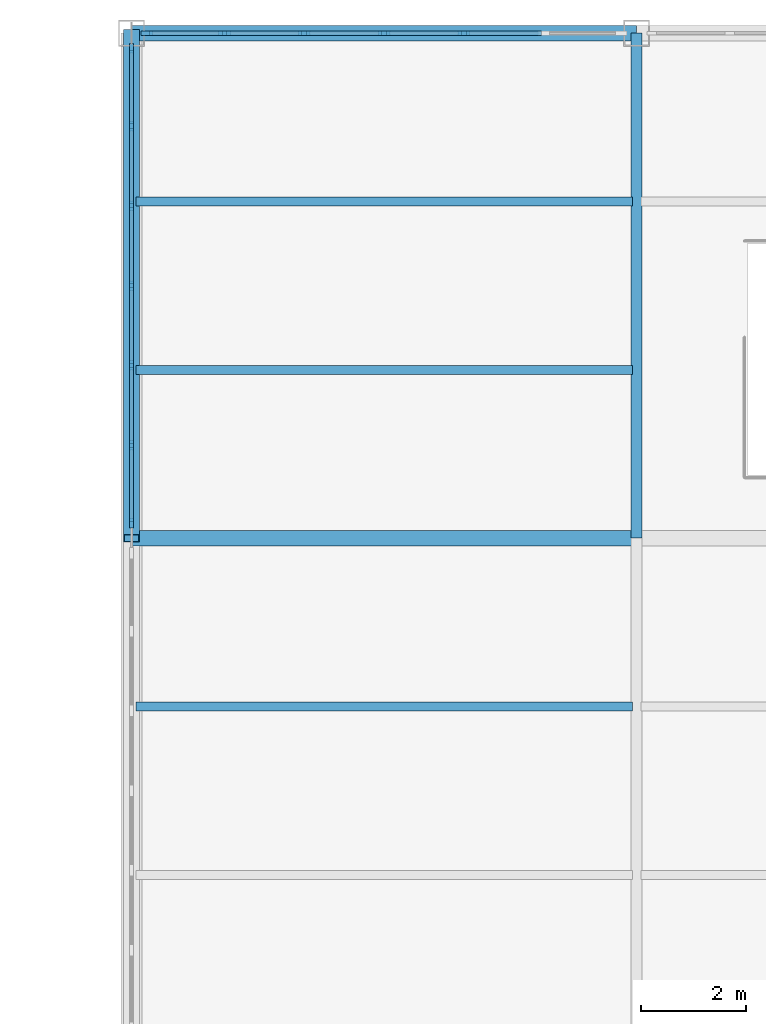
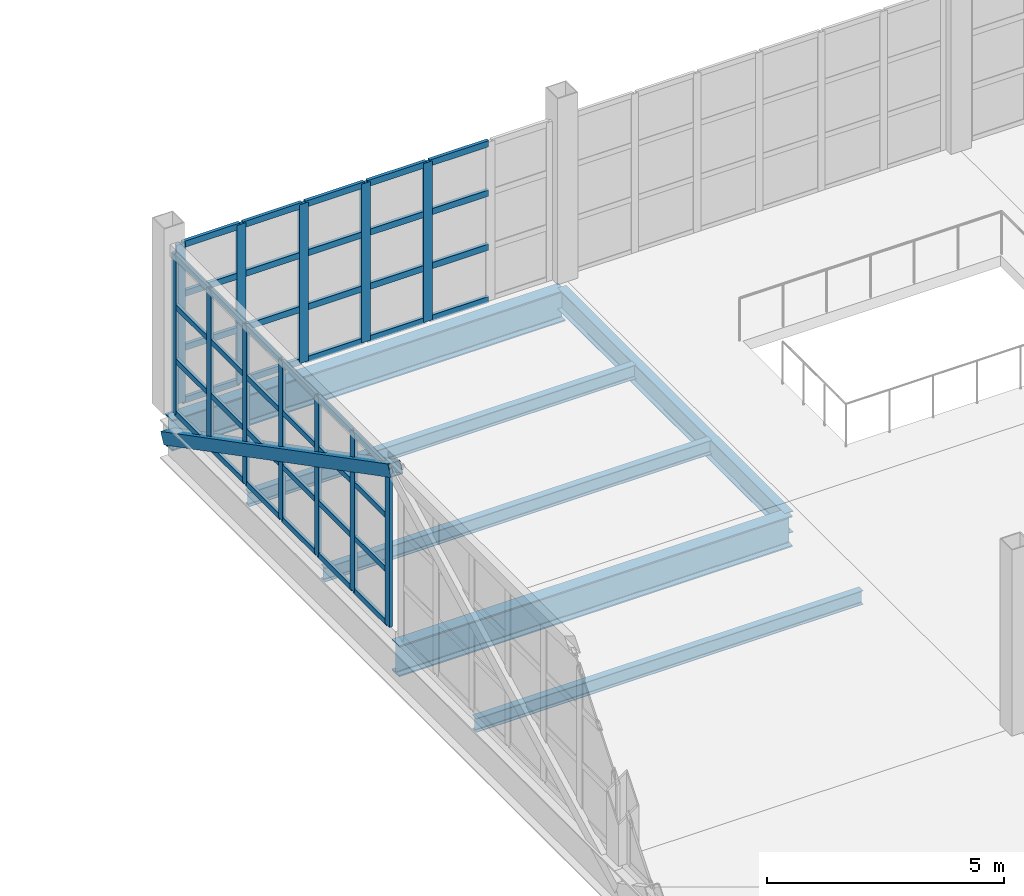
# One storey, part 52 of 120: 57 members, 6 beams, 2 elements without a shape of their own.
"""IFC4 building model written with IfcOpenShell, lengths in metres."""

from ifc_helpers import new_model, si_unit, direction, frame, origin, origin_2d, place, context, subcontext, project, spatial, rectangle, hollow_rectangle, i_section, extrude, material, layer, layer_set, material_profile, profile_set, type_object, element, aggregate, save


model = new_model("IFC4")

# Units and contexts
model_context = context("Model", 3, precision=1e-05, world=origin(), true_north=direction((0.0, 1.0)))
body_context = subcontext(model_context, "Body", "Model", "MODEL_VIEW")
ifc_project = project(units=[si_unit("LENGTHUNIT", "METRE"), si_unit("AREAUNIT", "SQUARE_METRE"), si_unit("VOLUMEUNIT", "CUBIC_METRE"), si_unit("PLANEANGLEUNIT", "RADIAN"), si_unit("MASSUNIT", "GRAM", prefix="KILO")], contexts=[model_context])

# Site, building, storey
site_placement = place(None, origin())
site = spatial("IfcSite", under=ifc_project, at=site_placement, CompositionType="ELEMENT")
building_placement = place(site_placement, origin())
building = spatial("IfcBuilding", under=site, at=building_placement, Name="Zarnetskaya Central Station", CompositionType="ELEMENT")
storey_placement = place(building_placement, frame((0.0, 0.0, 5.39990234375)))
storey = spatial("IfcBuildingStorey", under=building, at=storey_placement, Name="L01", CompositionType="ELEMENT", Elevation=5.39990234375)

# Beams
ifc_material_1 = material(Name="Steel S355", Category="steel")
ifc_material_profile_1 = material_profile(ifc_material_1, i_section(OverallWidth=0.169921875, OverallDepth=0.360107421875, WebThickness=0.008056640625, FlangeThickness=0.0126953125, FilletRadius=0.01806640625, at=origin_2d()), Name="IPE 360")
ifc_profile_set_1 = profile_set([ifc_material_profile_1], Name="Steel S355")
beam_type_1 = type_object("IfcBeamType", Name="BM-SEC-360", PredefinedType="BEAM", material=ifc_profile_set_1)
for number, where, z_axis, x_axis, name in (
    (1, (67.280029296875, 112.0, -0.4599609375), (1.0, 0.0, 0.0), (0.0, 1.0, 0.0), "Secondary floor beam SEC-L01-Z512-HJ-1314-2"),
    (2, (67.280029296875, 118.39990234375, -0.4599609375), (1.0, 0.0, 0.0), (0.0, 1.0, 0.0), "Secondary floor beam SEC-L01-Z512-HJ-1415-1"),
    (3, (67.280029296875, 121.60009765625, -0.4599609375), (1.0, 0.0, 0.0), (0.0, 1.0, 0.0), "Secondary floor beam SEC-L01-Z512-HJ-1415-2"),
):
    element("IfcBeam", number, at=place(storey_placement, frame(where, z_axis=z_axis, x_axis=x_axis)), inside=storey, type_object=beam_type_1, Name=name, PredefinedType="BEAM", context=body_context, shape_type="SweptSolid", body=[
        extrude(i_section(OverallWidth=0.169921875, OverallDepth=0.360107421875, WebThickness=0.008056640625, FlangeThickness=0.0126953125, FilletRadius=0.01806640625, at=origin_2d()), origin(), (0.0, 0.0, 1.0), 9.43994140625),
    ])

# Curtain wall, members
ifc_material_2 = material(Name="Low-E insulated glass", Category="glass")
ifc_layer = layer(ifc_material_2, 0.172119140625, Name="Low-E insulated glass", Category="glass")
ifc_layer_set = layer_set([ifc_layer], Name="Low-E insulated glass")
curtain_wall_type = type_object("IfcCurtainWallType", Name="CW-SYS-09", PredefinedType="USERDEFINED", material=ifc_layer_set)
curtain_wall_1_placement = place(storey_placement, origin())
curtain_wall_1 = element("IfcCurtainWall", 4, at=curtain_wall_1_placement, inside=storey, type_object=curtain_wall_type, Name="Curtain wall CW-L01-151", ObjectType="CURTAIN WALL", PredefinedType="USERDEFINED")
ifc_material_3 = material(Name="Anodised aluminium", Category="aluminium")
ifc_material_profile_2 = material_profile(ifc_material_3, rectangle(XDim=0.070068359375, YDim=0.179931640625, at=origin_2d()), Name="ALU MULL 70x180")
ifc_profile_set_2 = profile_set([ifc_material_profile_2], Name="Anodised aluminium")
member_type_1 = type_object("IfcMemberType", Name="CW-MULL-180", PredefinedType="MULLION", material=ifc_profile_set_2)
member_1_placement = place(storey_placement, frame((67.199951171875, 115.485107421875, 0.0), z_axis=(0.0, 0.0, 1.0), x_axis=(-1.0, 0.0, 0.0)))
member_1 = element("IfcMember", 5, at=member_1_placement, type_object=member_type_1, Name="CW-07 mullion 1", PredefinedType="MULLION", context=body_context, shape_type="SweptSolid", body=[
    extrude(rectangle(XDim=0.070068359375, YDim=0.179931640625, at=origin_2d()), origin(), (0.0, 0.0, 1.0), 4.10009765625),
])
member_2_placement = place(storey_placement, frame((67.199951171875, 116.966552734375, 0.0), z_axis=(0.0, 0.0, 1.0), x_axis=(-1.0, 0.0, 0.0)))
member_2 = element("IfcMember", 6, at=member_2_placement, type_object=member_type_1, Name="CW-07 mullion 2", PredefinedType="MULLION", context=body_context, shape_type="SweptSolid", body=[
    extrude(rectangle(XDim=0.070068359375, YDim=0.179931640625, at=origin_2d()), origin(), (0.0, 0.0, 1.0), 4.10009765625),
])
member_3_placement = place(storey_placement, frame((67.199951171875, 118.4833984375, 0.0), z_axis=(0.0, 0.0, 1.0), x_axis=(-1.0, 0.0, 0.0)))
member_3 = element("IfcMember", 7, at=member_3_placement, type_object=member_type_1, Name="CW-07 mullion 3", PredefinedType="MULLION", context=body_context, shape_type="SweptSolid", body=[
    extrude(rectangle(XDim=0.070068359375, YDim=0.179931640625, at=origin_2d()), origin(), (0.0, 0.0, 1.0), 4.10009765625),
])
member_4_placement = place(storey_placement, frame((67.199951171875, 120.0, 0.0), z_axis=(0.0, 0.0, 1.0), x_axis=(-1.0, 0.0, 0.0)))
member_4 = element("IfcMember", 8, at=member_4_placement, type_object=member_type_1, Name="CW-07 mullion 4", PredefinedType="MULLION", context=body_context, shape_type="SweptSolid", body=[
    extrude(rectangle(XDim=0.070068359375, YDim=0.179931640625, at=origin_2d()), origin(), (0.0, 0.0, 1.0), 4.10009765625),
])
member_5_placement = place(storey_placement, frame((67.199951171875, 121.5166015625, 0.0), z_axis=(0.0, 0.0, 1.0), x_axis=(-1.0, 0.0, 0.0)))
member_5 = element("IfcMember", 9, at=member_5_placement, type_object=member_type_1, Name="CW-07 mullion 5", PredefinedType="MULLION", context=body_context, shape_type="SweptSolid", body=[
    extrude(rectangle(XDim=0.070068359375, YDim=0.179931640625, at=origin_2d()), origin(), (0.0, 0.0, 1.0), 4.10009765625),
])
member_6_placement = place(storey_placement, frame((67.199951171875, 123.033447265625, 0.0), z_axis=(0.0, 0.0, 1.0), x_axis=(-1.0, 0.0, 0.0)))
member_6 = element("IfcMember", 10, at=member_6_placement, type_object=member_type_1, Name="CW-07 mullion 6", PredefinedType="MULLION", context=body_context, shape_type="SweptSolid", body=[
    extrude(rectangle(XDim=0.070068359375, YDim=0.179931640625, at=origin_2d()), origin(), (0.0, 0.0, 1.0), 4.10009765625),
])
member_7_placement = place(storey_placement, frame((67.199951171875, 124.514892578125, 0.0), z_axis=(0.0, 0.0, 1.0), x_axis=(-1.0, 0.0, 0.0)))
member_7 = element("IfcMember", 11, at=member_7_placement, type_object=member_type_1, Name="CW-07 mullion 7", PredefinedType="MULLION", context=body_context, shape_type="SweptSolid", body=[
    extrude(rectangle(XDim=0.070068359375, YDim=0.179931640625, at=origin_2d()), origin(), (0.0, 0.0, 1.0), 4.10009765625),
])

curtain_wall_2_placement = place(storey_placement, origin())
curtain_wall_2 = element("IfcCurtainWall", 12, at=curtain_wall_2_placement, inside=storey, type_object=curtain_wall_type, Name="Curtain wall CW-L01-152", ObjectType="CURTAIN WALL", PredefinedType="USERDEFINED")
ifc_material_profile_3 = material_profile(ifc_material_3, rectangle(XDim=0.080078125, YDim=0.219970703125, at=origin_2d()), Name="ALU MULL 80x220")
ifc_profile_set_3 = profile_set([ifc_material_profile_3], Name="Anodised aluminium")
member_type_2 = type_object("IfcMemberType", Name="CW-MULL-220", PredefinedType="MULLION", material=ifc_profile_set_3)
member_8_placement = place(storey_placement, frame((67.489990234375, 124.800048828125, 0.0), z_axis=(0.0, 0.0, 1.0), x_axis=(0.0, 1.0, 0.0)))
member_8 = element("IfcMember", 13, at=member_8_placement, type_object=member_type_2, Name="CW-07 mullion 1", PredefinedType="MULLION", context=body_context, shape_type="SweptSolid", body=[
    extrude(rectangle(XDim=0.080078125, YDim=0.219970703125, at=origin_2d()), origin(), (0.0, 0.0, 1.0), 4.10009765625),
])
member_9_placement = place(storey_placement, frame((68.966552734375, 124.800048828125, 0.0), z_axis=(0.0, 0.0, 1.0), x_axis=(0.0, 1.0, 0.0)))
member_9 = element("IfcMember", 14, at=member_9_placement, type_object=member_type_2, Name="CW-07 mullion 2", PredefinedType="MULLION", context=body_context, shape_type="SweptSolid", body=[
    extrude(rectangle(XDim=0.080078125, YDim=0.219970703125, at=origin_2d()), origin(), (0.0, 0.0, 1.0), 4.10009765625),
])
member_10_placement = place(storey_placement, frame((70.4833984375, 124.800048828125, 0.0), z_axis=(0.0, 0.0, 1.0), x_axis=(0.0, 1.0, 0.0)))
member_10 = element("IfcMember", 15, at=member_10_placement, type_object=member_type_2, Name="CW-07 mullion 3", PredefinedType="MULLION", context=body_context, shape_type="SweptSolid", body=[
    extrude(rectangle(XDim=0.080078125, YDim=0.219970703125, at=origin_2d()), origin(), (0.0, 0.0, 1.0), 4.10009765625),
])
member_11_placement = place(storey_placement, frame((72.0, 124.800048828125, 0.0), z_axis=(0.0, 0.0, 1.0), x_axis=(0.0, 1.0, 0.0)))
member_11 = element("IfcMember", 16, at=member_11_placement, type_object=member_type_2, Name="CW-07 mullion 4", PredefinedType="MULLION", context=body_context, shape_type="SweptSolid", body=[
    extrude(rectangle(XDim=0.080078125, YDim=0.219970703125, at=origin_2d()), origin(), (0.0, 0.0, 1.0), 4.10009765625),
])
member_12_placement = place(storey_placement, frame((73.5166015625, 124.800048828125, 0.0), z_axis=(0.0, 0.0, 1.0), x_axis=(0.0, 1.0, 0.0)))
member_12 = element("IfcMember", 17, at=member_12_placement, type_object=member_type_2, Name="CW-07 mullion 5", PredefinedType="MULLION", context=body_context, shape_type="SweptSolid", body=[
    extrude(rectangle(XDim=0.080078125, YDim=0.219970703125, at=origin_2d()), origin(), (0.0, 0.0, 1.0), 4.10009765625),
])

# Member
ifc_material_profile_4 = material_profile(ifc_material_3, rectangle(XDim=0.070068359375, YDim=0.139892578125, at=origin_2d()), Name="ALU TRAN 70x140")
ifc_profile_set_4 = profile_set([ifc_material_profile_4], Name="Anodised aluminium")
member_type_3 = type_object("IfcMemberType", Name="CW-TRAN-140", PredefinedType="USERDEFINED", material=ifc_profile_set_4)
member_13_placement = place(storey_placement, frame((67.199951171875, 115.52001953125, 0.03515625), z_axis=(0.0, 1.0, 0.0), x_axis=(-1.0, 0.0, 0.0)))
member_13 = element("IfcMember", 18, at=member_13_placement, type_object=member_type_3, Name="CW-07 transom 1.1", ObjectType="TRANSOM", PredefinedType="USERDEFINED", context=body_context, shape_type="SweptSolid", body=[
    extrude(rectangle(XDim=0.070068359375, YDim=0.139892578125, at=origin_2d()), origin(), (0.0, 0.0, 1.0), 1.41162109375),
])

member_14_placement = place(storey_placement, frame((67.199951171875, 115.52001953125, 1.39404296875), z_axis=(0.0, 1.0, 0.0), x_axis=(-1.0, 0.0, 0.0)))
member_14 = element("IfcMember", 19, at=member_14_placement, type_object=member_type_3, Name="CW-07 transom 1.2", ObjectType="TRANSOM", PredefinedType="USERDEFINED", context=body_context, shape_type="SweptSolid", body=[
    extrude(rectangle(XDim=0.070068359375, YDim=0.139892578125, at=origin_2d()), origin(), (0.0, 0.0, 1.0), 1.41162109375),
])

member_15_placement = place(storey_placement, frame((67.199951171875, 115.52001953125, 2.7880859375), z_axis=(0.0, 1.0, 0.0), x_axis=(-1.0, 0.0, 0.0)))
member_15 = element("IfcMember", 20, at=member_15_placement, type_object=member_type_3, Name="CW-07 transom 1.3", ObjectType="TRANSOM", PredefinedType="USERDEFINED", context=body_context, shape_type="SweptSolid", body=[
    extrude(rectangle(XDim=0.070068359375, YDim=0.139892578125, at=origin_2d()), origin(), (0.0, 0.0, 1.0), 1.41162109375),
])

member_16_placement = place(storey_placement, frame((67.199951171875, 115.52001953125, 4.065185546875), z_axis=(0.0, 1.0, 0.0), x_axis=(-1.0, 0.0, 0.0)))
member_16 = element("IfcMember", 21, at=member_16_placement, type_object=member_type_3, Name="CW-07 transom 1.4", ObjectType="TRANSOM", PredefinedType="USERDEFINED", context=body_context, shape_type="SweptSolid", body=[
    extrude(rectangle(XDim=0.070068359375, YDim=0.139892578125, at=origin_2d()), origin(), (0.0, 0.0, 1.0), 1.41162109375),
])

member_17_placement = place(storey_placement, frame((67.199951171875, 117.001708984375, 0.03515625), z_axis=(0.0, 1.0, 0.0), x_axis=(-1.0, 0.0, 0.0)))
member_17 = element("IfcMember", 22, at=member_17_placement, type_object=member_type_3, Name="CW-07 transom 2.1", ObjectType="TRANSOM", PredefinedType="USERDEFINED", context=body_context, shape_type="SweptSolid", body=[
    extrude(rectangle(XDim=0.070068359375, YDim=0.139892578125, at=origin_2d()), origin(), (0.0, 0.0, 1.0), 1.446533203125),
])

member_18_placement = place(storey_placement, frame((67.199951171875, 117.001708984375, 1.39404296875), z_axis=(0.0, 1.0, 0.0), x_axis=(-1.0, 0.0, 0.0)))
member_18 = element("IfcMember", 23, at=member_18_placement, type_object=member_type_3, Name="CW-07 transom 2.2", ObjectType="TRANSOM", PredefinedType="USERDEFINED", context=body_context, shape_type="SweptSolid", body=[
    extrude(rectangle(XDim=0.070068359375, YDim=0.139892578125, at=origin_2d()), origin(), (0.0, 0.0, 1.0), 1.446533203125),
])

member_19_placement = place(storey_placement, frame((67.199951171875, 117.001708984375, 2.7880859375), z_axis=(0.0, 1.0, 0.0), x_axis=(-1.0, 0.0, 0.0)))
member_19 = element("IfcMember", 24, at=member_19_placement, type_object=member_type_3, Name="CW-07 transom 2.3", ObjectType="TRANSOM", PredefinedType="USERDEFINED", context=body_context, shape_type="SweptSolid", body=[
    extrude(rectangle(XDim=0.070068359375, YDim=0.139892578125, at=origin_2d()), origin(), (0.0, 0.0, 1.0), 1.446533203125),
])

member_20_placement = place(storey_placement, frame((67.199951171875, 117.001708984375, 4.065185546875), z_axis=(0.0, 1.0, 0.0), x_axis=(-1.0, 0.0, 0.0)))
member_20 = element("IfcMember", 25, at=member_20_placement, type_object=member_type_3, Name="CW-07 transom 2.4", ObjectType="TRANSOM", PredefinedType="USERDEFINED", context=body_context, shape_type="SweptSolid", body=[
    extrude(rectangle(XDim=0.070068359375, YDim=0.139892578125, at=origin_2d()), origin(), (0.0, 0.0, 1.0), 1.446533203125),
])

member_21_placement = place(storey_placement, frame((67.199951171875, 118.518310546875, 0.03515625), z_axis=(0.0, 1.0, 0.0), x_axis=(-1.0, 0.0, 0.0)))
member_21 = element("IfcMember", 26, at=member_21_placement, type_object=member_type_3, Name="CW-07 transom 3.1", ObjectType="TRANSOM", PredefinedType="USERDEFINED", context=body_context, shape_type="SweptSolid", body=[
    extrude(rectangle(XDim=0.070068359375, YDim=0.139892578125, at=origin_2d()), origin(), (0.0, 0.0, 1.0), 1.44677734375),
])

member_22_placement = place(storey_placement, frame((67.199951171875, 118.518310546875, 1.39404296875), z_axis=(0.0, 1.0, 0.0), x_axis=(-1.0, 0.0, 0.0)))
member_22 = element("IfcMember", 27, at=member_22_placement, type_object=member_type_3, Name="CW-07 transom 3.2", ObjectType="TRANSOM", PredefinedType="USERDEFINED", context=body_context, shape_type="SweptSolid", body=[
    extrude(rectangle(XDim=0.070068359375, YDim=0.139892578125, at=origin_2d()), origin(), (0.0, 0.0, 1.0), 1.44677734375),
])

member_23_placement = place(storey_placement, frame((67.199951171875, 118.518310546875, 2.7880859375), z_axis=(0.0, 1.0, 0.0), x_axis=(-1.0, 0.0, 0.0)))
member_23 = element("IfcMember", 28, at=member_23_placement, type_object=member_type_3, Name="CW-07 transom 3.3", ObjectType="TRANSOM", PredefinedType="USERDEFINED", context=body_context, shape_type="SweptSolid", body=[
    extrude(rectangle(XDim=0.070068359375, YDim=0.139892578125, at=origin_2d()), origin(), (0.0, 0.0, 1.0), 1.44677734375),
])

member_24_placement = place(storey_placement, frame((67.199951171875, 118.518310546875, 4.065185546875), z_axis=(0.0, 1.0, 0.0), x_axis=(-1.0, 0.0, 0.0)))
member_24 = element("IfcMember", 29, at=member_24_placement, type_object=member_type_3, Name="CW-07 transom 3.4", ObjectType="TRANSOM", PredefinedType="USERDEFINED", context=body_context, shape_type="SweptSolid", body=[
    extrude(rectangle(XDim=0.070068359375, YDim=0.139892578125, at=origin_2d()), origin(), (0.0, 0.0, 1.0), 1.44677734375),
])

member_25_placement = place(storey_placement, frame((67.199951171875, 120.034912109375, 0.03515625), z_axis=(0.0, 1.0, 0.0), x_axis=(-1.0, 0.0, 0.0)))
member_25 = element("IfcMember", 30, at=member_25_placement, type_object=member_type_3, Name="CW-07 transom 4.1", ObjectType="TRANSOM", PredefinedType="USERDEFINED", context=body_context, shape_type="SweptSolid", body=[
    extrude(rectangle(XDim=0.070068359375, YDim=0.139892578125, at=origin_2d()), origin(), (0.0, 0.0, 1.0), 1.44677734375),
])

member_26_placement = place(storey_placement, frame((67.199951171875, 120.034912109375, 1.39404296875), z_axis=(0.0, 1.0, 0.0), x_axis=(-1.0, 0.0, 0.0)))
member_26 = element("IfcMember", 31, at=member_26_placement, type_object=member_type_3, Name="CW-07 transom 4.2", ObjectType="TRANSOM", PredefinedType="USERDEFINED", context=body_context, shape_type="SweptSolid", body=[
    extrude(rectangle(XDim=0.070068359375, YDim=0.139892578125, at=origin_2d()), origin(), (0.0, 0.0, 1.0), 1.44677734375),
])

member_27_placement = place(storey_placement, frame((67.199951171875, 120.034912109375, 2.7880859375), z_axis=(0.0, 1.0, 0.0), x_axis=(-1.0, 0.0, 0.0)))
member_27 = element("IfcMember", 32, at=member_27_placement, type_object=member_type_3, Name="CW-07 transom 4.3", ObjectType="TRANSOM", PredefinedType="USERDEFINED", context=body_context, shape_type="SweptSolid", body=[
    extrude(rectangle(XDim=0.070068359375, YDim=0.139892578125, at=origin_2d()), origin(), (0.0, 0.0, 1.0), 1.44677734375),
])

member_28_placement = place(storey_placement, frame((67.199951171875, 120.034912109375, 4.065185546875), z_axis=(0.0, 1.0, 0.0), x_axis=(-1.0, 0.0, 0.0)))
member_28 = element("IfcMember", 33, at=member_28_placement, type_object=member_type_3, Name="CW-07 transom 4.4", ObjectType="TRANSOM", PredefinedType="USERDEFINED", context=body_context, shape_type="SweptSolid", body=[
    extrude(rectangle(XDim=0.070068359375, YDim=0.139892578125, at=origin_2d()), origin(), (0.0, 0.0, 1.0), 1.44677734375),
])

member_29_placement = place(storey_placement, frame((67.199951171875, 121.5517578125, 0.03515625), z_axis=(0.0, 1.0, 0.0), x_axis=(-1.0, 0.0, 0.0)))
member_29 = element("IfcMember", 34, at=member_29_placement, type_object=member_type_3, Name="CW-07 transom 5.1", ObjectType="TRANSOM", PredefinedType="USERDEFINED", context=body_context, shape_type="SweptSolid", body=[
    extrude(rectangle(XDim=0.070068359375, YDim=0.139892578125, at=origin_2d()), origin(), (0.0, 0.0, 1.0), 1.446533203125),
])

member_30_placement = place(storey_placement, frame((67.199951171875, 121.5517578125, 1.39404296875), z_axis=(0.0, 1.0, 0.0), x_axis=(-1.0, 0.0, 0.0)))
member_30 = element("IfcMember", 35, at=member_30_placement, type_object=member_type_3, Name="CW-07 transom 5.2", ObjectType="TRANSOM", PredefinedType="USERDEFINED", context=body_context, shape_type="SweptSolid", body=[
    extrude(rectangle(XDim=0.070068359375, YDim=0.139892578125, at=origin_2d()), origin(), (0.0, 0.0, 1.0), 1.446533203125),
])

member_31_placement = place(storey_placement, frame((67.199951171875, 121.5517578125, 2.7880859375), z_axis=(0.0, 1.0, 0.0), x_axis=(-1.0, 0.0, 0.0)))
member_31 = element("IfcMember", 36, at=member_31_placement, type_object=member_type_3, Name="CW-07 transom 5.3", ObjectType="TRANSOM", PredefinedType="USERDEFINED", context=body_context, shape_type="SweptSolid", body=[
    extrude(rectangle(XDim=0.070068359375, YDim=0.139892578125, at=origin_2d()), origin(), (0.0, 0.0, 1.0), 1.446533203125),
])

member_32_placement = place(storey_placement, frame((67.199951171875, 121.5517578125, 4.065185546875), z_axis=(0.0, 1.0, 0.0), x_axis=(-1.0, 0.0, 0.0)))
member_32 = element("IfcMember", 37, at=member_32_placement, type_object=member_type_3, Name="CW-07 transom 5.4", ObjectType="TRANSOM", PredefinedType="USERDEFINED", context=body_context, shape_type="SweptSolid", body=[
    extrude(rectangle(XDim=0.070068359375, YDim=0.139892578125, at=origin_2d()), origin(), (0.0, 0.0, 1.0), 1.446533203125),
])

member_33_placement = place(storey_placement, frame((67.199951171875, 123.068359375, 0.03515625), z_axis=(0.0, 1.0, 0.0), x_axis=(-1.0, 0.0, 0.0)))
member_33 = element("IfcMember", 38, at=member_33_placement, type_object=member_type_3, Name="CW-07 transom 6.1", ObjectType="TRANSOM", PredefinedType="USERDEFINED", context=body_context, shape_type="SweptSolid", body=[
    extrude(rectangle(XDim=0.070068359375, YDim=0.139892578125, at=origin_2d()), origin(), (0.0, 0.0, 1.0), 1.41162109375),
])

member_34_placement = place(storey_placement, frame((67.199951171875, 123.068359375, 1.39404296875), z_axis=(0.0, 1.0, 0.0), x_axis=(-1.0, 0.0, 0.0)))
member_34 = element("IfcMember", 39, at=member_34_placement, type_object=member_type_3, Name="CW-07 transom 6.2", ObjectType="TRANSOM", PredefinedType="USERDEFINED", context=body_context, shape_type="SweptSolid", body=[
    extrude(rectangle(XDim=0.070068359375, YDim=0.139892578125, at=origin_2d()), origin(), (0.0, 0.0, 1.0), 1.41162109375),
])

member_35_placement = place(storey_placement, frame((67.199951171875, 123.068359375, 2.7880859375), z_axis=(0.0, 1.0, 0.0), x_axis=(-1.0, 0.0, 0.0)))
member_35 = element("IfcMember", 40, at=member_35_placement, type_object=member_type_3, Name="CW-07 transom 6.3", ObjectType="TRANSOM", PredefinedType="USERDEFINED", context=body_context, shape_type="SweptSolid", body=[
    extrude(rectangle(XDim=0.070068359375, YDim=0.139892578125, at=origin_2d()), origin(), (0.0, 0.0, 1.0), 1.41162109375),
])

member_36_placement = place(storey_placement, frame((67.199951171875, 123.068359375, 4.065185546875), z_axis=(0.0, 1.0, 0.0), x_axis=(-1.0, 0.0, 0.0)))
member_36 = element("IfcMember", 41, at=member_36_placement, type_object=member_type_3, Name="CW-07 transom 6.4", ObjectType="TRANSOM", PredefinedType="USERDEFINED", context=body_context, shape_type="SweptSolid", body=[
    extrude(rectangle(XDim=0.070068359375, YDim=0.139892578125, at=origin_2d()), origin(), (0.0, 0.0, 1.0), 1.41162109375),
])

aggregate(curtain_wall_1, [member_1, member_2, member_3, member_4, member_5, member_6, member_7, member_13, member_14, member_15, member_16, member_17, member_18, member_19, member_20, member_21, member_22, member_23, member_24, member_25, member_26, member_27, member_28, member_29, member_30, member_31, member_32, member_33, member_34, member_35, member_36])

ifc_material_profile_5 = material_profile(ifc_material_3, rectangle(XDim=0.080078125, YDim=0.159912109375, at=origin_2d()), Name="ALU TRAN 80x160")
ifc_profile_set_5 = profile_set([ifc_material_profile_5], Name="Anodised aluminium")
member_type_4 = type_object("IfcMemberType", Name="CW-TRAN-160", PredefinedType="USERDEFINED", material=ifc_profile_set_5)
member_37_placement = place(storey_placement, frame((67.530029296875, 124.800048828125, 0.0400390625), z_axis=(1.0, 0.0, 0.0), x_axis=(0.0, 1.0, 0.0)))
member_37 = element("IfcMember", 42, at=member_37_placement, type_object=member_type_4, Name="CW-07 transom 1.1", ObjectType="TRANSOM", PredefinedType="USERDEFINED", context=body_context, shape_type="SweptSolid", body=[
    extrude(rectangle(XDim=0.080078125, YDim=0.159912109375, at=origin_2d()), origin(), (0.0, 0.0, 1.0), 1.396728515625),
])

member_38_placement = place(storey_placement, frame((67.530029296875, 124.800048828125, 1.39404296875), z_axis=(1.0, 0.0, 0.0), x_axis=(0.0, 1.0, 0.0)))
member_38 = element("IfcMember", 43, at=member_38_placement, type_object=member_type_4, Name="CW-07 transom 1.2", ObjectType="TRANSOM", PredefinedType="USERDEFINED", context=body_context, shape_type="SweptSolid", body=[
    extrude(rectangle(XDim=0.080078125, YDim=0.159912109375, at=origin_2d()), origin(), (0.0, 0.0, 1.0), 1.396728515625),
])

member_39_placement = place(storey_placement, frame((67.530029296875, 124.800048828125, 2.7880859375), z_axis=(1.0, 0.0, 0.0), x_axis=(0.0, 1.0, 0.0)))
member_39 = element("IfcMember", 44, at=member_39_placement, type_object=member_type_4, Name="CW-07 transom 1.3", ObjectType="TRANSOM", PredefinedType="USERDEFINED", context=body_context, shape_type="SweptSolid", body=[
    extrude(rectangle(XDim=0.080078125, YDim=0.159912109375, at=origin_2d()), origin(), (0.0, 0.0, 1.0), 1.396728515625),
])

member_40_placement = place(storey_placement, frame((67.530029296875, 124.800048828125, 4.06005859375), z_axis=(1.0, 0.0, 0.0), x_axis=(0.0, 1.0, 0.0)))
member_40 = element("IfcMember", 45, at=member_40_placement, type_object=member_type_4, Name="CW-07 transom 1.4", ObjectType="TRANSOM", PredefinedType="USERDEFINED", context=body_context, shape_type="SweptSolid", body=[
    extrude(rectangle(XDim=0.080078125, YDim=0.159912109375, at=origin_2d()), origin(), (0.0, 0.0, 1.0), 1.396728515625),
])

member_41_placement = place(storey_placement, frame((69.006591796875, 124.800048828125, 0.0400390625), z_axis=(1.0, 0.0, 0.0), x_axis=(0.0, 1.0, 0.0)))
member_41 = element("IfcMember", 46, at=member_41_placement, type_object=member_type_4, Name="CW-07 transom 2.1", ObjectType="TRANSOM", PredefinedType="USERDEFINED", context=body_context, shape_type="SweptSolid", body=[
    extrude(rectangle(XDim=0.080078125, YDim=0.159912109375, at=origin_2d()), origin(), (0.0, 0.0, 1.0), 1.436767578125),
])

member_42_placement = place(storey_placement, frame((69.006591796875, 124.800048828125, 1.39404296875), z_axis=(1.0, 0.0, 0.0), x_axis=(0.0, 1.0, 0.0)))
member_42 = element("IfcMember", 47, at=member_42_placement, type_object=member_type_4, Name="CW-07 transom 2.2", ObjectType="TRANSOM", PredefinedType="USERDEFINED", context=body_context, shape_type="SweptSolid", body=[
    extrude(rectangle(XDim=0.080078125, YDim=0.159912109375, at=origin_2d()), origin(), (0.0, 0.0, 1.0), 1.436767578125),
])

member_43_placement = place(storey_placement, frame((69.006591796875, 124.800048828125, 2.7880859375), z_axis=(1.0, 0.0, 0.0), x_axis=(0.0, 1.0, 0.0)))
member_43 = element("IfcMember", 48, at=member_43_placement, type_object=member_type_4, Name="CW-07 transom 2.3", ObjectType="TRANSOM", PredefinedType="USERDEFINED", context=body_context, shape_type="SweptSolid", body=[
    extrude(rectangle(XDim=0.080078125, YDim=0.159912109375, at=origin_2d()), origin(), (0.0, 0.0, 1.0), 1.436767578125),
])

member_44_placement = place(storey_placement, frame((69.006591796875, 124.800048828125, 4.06005859375), z_axis=(1.0, 0.0, 0.0), x_axis=(0.0, 1.0, 0.0)))
member_44 = element("IfcMember", 49, at=member_44_placement, type_object=member_type_4, Name="CW-07 transom 2.4", ObjectType="TRANSOM", PredefinedType="USERDEFINED", context=body_context, shape_type="SweptSolid", body=[
    extrude(rectangle(XDim=0.080078125, YDim=0.159912109375, at=origin_2d()), origin(), (0.0, 0.0, 1.0), 1.436767578125),
])

member_45_placement = place(storey_placement, frame((70.5234375, 124.800048828125, 0.0400390625), z_axis=(1.0, 0.0, 0.0), x_axis=(0.0, 1.0, 0.0)))
member_45 = element("IfcMember", 50, at=member_45_placement, type_object=member_type_4, Name="CW-07 transom 3.1", ObjectType="TRANSOM", PredefinedType="USERDEFINED", context=body_context, shape_type="SweptSolid", body=[
    extrude(rectangle(XDim=0.080078125, YDim=0.159912109375, at=origin_2d()), origin(), (0.0, 0.0, 1.0), 1.4365234375),
])

member_46_placement = place(storey_placement, frame((70.5234375, 124.800048828125, 1.39404296875), z_axis=(1.0, 0.0, 0.0), x_axis=(0.0, 1.0, 0.0)))
member_46 = element("IfcMember", 51, at=member_46_placement, type_object=member_type_4, Name="CW-07 transom 3.2", ObjectType="TRANSOM", PredefinedType="USERDEFINED", context=body_context, shape_type="SweptSolid", body=[
    extrude(rectangle(XDim=0.080078125, YDim=0.159912109375, at=origin_2d()), origin(), (0.0, 0.0, 1.0), 1.4365234375),
])

member_47_placement = place(storey_placement, frame((70.5234375, 124.800048828125, 2.7880859375), z_axis=(1.0, 0.0, 0.0), x_axis=(0.0, 1.0, 0.0)))
member_47 = element("IfcMember", 52, at=member_47_placement, type_object=member_type_4, Name="CW-07 transom 3.3", ObjectType="TRANSOM", PredefinedType="USERDEFINED", context=body_context, shape_type="SweptSolid", body=[
    extrude(rectangle(XDim=0.080078125, YDim=0.159912109375, at=origin_2d()), origin(), (0.0, 0.0, 1.0), 1.4365234375),
])

member_48_placement = place(storey_placement, frame((70.5234375, 124.800048828125, 4.06005859375), z_axis=(1.0, 0.0, 0.0), x_axis=(0.0, 1.0, 0.0)))
member_48 = element("IfcMember", 53, at=member_48_placement, type_object=member_type_4, Name="CW-07 transom 3.4", ObjectType="TRANSOM", PredefinedType="USERDEFINED", context=body_context, shape_type="SweptSolid", body=[
    extrude(rectangle(XDim=0.080078125, YDim=0.159912109375, at=origin_2d()), origin(), (0.0, 0.0, 1.0), 1.4365234375),
])

member_49_placement = place(storey_placement, frame((72.0400390625, 124.800048828125, 0.0400390625), z_axis=(1.0, 0.0, 0.0), x_axis=(0.0, 1.0, 0.0)))
member_49 = element("IfcMember", 54, at=member_49_placement, type_object=member_type_4, Name="CW-07 transom 4.1", ObjectType="TRANSOM", PredefinedType="USERDEFINED", context=body_context, shape_type="SweptSolid", body=[
    extrude(rectangle(XDim=0.080078125, YDim=0.159912109375, at=origin_2d()), origin(), (0.0, 0.0, 1.0), 1.4365234375),
])

member_50_placement = place(storey_placement, frame((72.0400390625, 124.800048828125, 1.39404296875), z_axis=(1.0, 0.0, 0.0), x_axis=(0.0, 1.0, 0.0)))
member_50 = element("IfcMember", 55, at=member_50_placement, type_object=member_type_4, Name="CW-07 transom 4.2", ObjectType="TRANSOM", PredefinedType="USERDEFINED", context=body_context, shape_type="SweptSolid", body=[
    extrude(rectangle(XDim=0.080078125, YDim=0.159912109375, at=origin_2d()), origin(), (0.0, 0.0, 1.0), 1.4365234375),
])

member_51_placement = place(storey_placement, frame((72.0400390625, 124.800048828125, 2.7880859375), z_axis=(1.0, 0.0, 0.0), x_axis=(0.0, 1.0, 0.0)))
member_51 = element("IfcMember", 56, at=member_51_placement, type_object=member_type_4, Name="CW-07 transom 4.3", ObjectType="TRANSOM", PredefinedType="USERDEFINED", context=body_context, shape_type="SweptSolid", body=[
    extrude(rectangle(XDim=0.080078125, YDim=0.159912109375, at=origin_2d()), origin(), (0.0, 0.0, 1.0), 1.4365234375),
])

member_52_placement = place(storey_placement, frame((72.0400390625, 124.800048828125, 4.06005859375), z_axis=(1.0, 0.0, 0.0), x_axis=(0.0, 1.0, 0.0)))
member_52 = element("IfcMember", 57, at=member_52_placement, type_object=member_type_4, Name="CW-07 transom 4.4", ObjectType="TRANSOM", PredefinedType="USERDEFINED", context=body_context, shape_type="SweptSolid", body=[
    extrude(rectangle(XDim=0.080078125, YDim=0.159912109375, at=origin_2d()), origin(), (0.0, 0.0, 1.0), 1.4365234375),
])

member_53_placement = place(storey_placement, frame((73.556640625, 124.800048828125, 0.0400390625), z_axis=(1.0, 0.0, 0.0), x_axis=(0.0, 1.0, 0.0)))
member_53 = element("IfcMember", 58, at=member_53_placement, type_object=member_type_4, Name="CW-07 transom 5.1", ObjectType="TRANSOM", PredefinedType="USERDEFINED", context=body_context, shape_type="SweptSolid", body=[
    extrude(rectangle(XDim=0.080078125, YDim=0.159912109375, at=origin_2d()), origin(), (0.0, 0.0, 1.0), 1.436767578125),
])

member_54_placement = place(storey_placement, frame((73.556640625, 124.800048828125, 1.39404296875), z_axis=(1.0, 0.0, 0.0), x_axis=(0.0, 1.0, 0.0)))
member_54 = element("IfcMember", 59, at=member_54_placement, type_object=member_type_4, Name="CW-07 transom 5.2", ObjectType="TRANSOM", PredefinedType="USERDEFINED", context=body_context, shape_type="SweptSolid", body=[
    extrude(rectangle(XDim=0.080078125, YDim=0.159912109375, at=origin_2d()), origin(), (0.0, 0.0, 1.0), 1.436767578125),
])

member_55_placement = place(storey_placement, frame((73.556640625, 124.800048828125, 2.7880859375), z_axis=(1.0, 0.0, 0.0), x_axis=(0.0, 1.0, 0.0)))
member_55 = element("IfcMember", 60, at=member_55_placement, type_object=member_type_4, Name="CW-07 transom 5.3", ObjectType="TRANSOM", PredefinedType="USERDEFINED", context=body_context, shape_type="SweptSolid", body=[
    extrude(rectangle(XDim=0.080078125, YDim=0.159912109375, at=origin_2d()), origin(), (0.0, 0.0, 1.0), 1.436767578125),
])

member_56_placement = place(storey_placement, frame((73.556640625, 124.800048828125, 4.06005859375), z_axis=(1.0, 0.0, 0.0), x_axis=(0.0, 1.0, 0.0)))
member_56 = element("IfcMember", 61, at=member_56_placement, type_object=member_type_4, Name="CW-07 transom 5.4", ObjectType="TRANSOM", PredefinedType="USERDEFINED", context=body_context, shape_type="SweptSolid", body=[
    extrude(rectangle(XDim=0.080078125, YDim=0.159912109375, at=origin_2d()), origin(), (0.0, 0.0, 1.0), 1.436767578125),
])

aggregate(curtain_wall_2, [member_8, member_9, member_10, member_11, member_12, member_37, member_38, member_39, member_40, member_41, member_42, member_43, member_44, member_45, member_46, member_47, member_48, member_49, member_50, member_51, member_52, member_53, member_54, member_55, member_56])

# Beams
ifc_material_profile_6 = material_profile(ifc_material_1, i_section(OverallWidth=0.300048828125, OverallDepth=0.800048828125, WebThickness=0.017578125, FlangeThickness=0.032958984375, FilletRadius=0.030029296875, at=origin_2d()), Name="HEB 800")
ifc_profile_set_6 = profile_set([ifc_material_profile_6], Name="Steel S355")
beam_type_2 = type_object("IfcBeamType", Name="GD-BRG-800", PredefinedType="USERDEFINED", material=ifc_profile_set_6)
for number, where, z_axis, x_axis, name in (
    (62, (67.199951171875, 115.199951171875, -0.679931640625), (1.0, 0.0, 0.0), (0.0, 1.0, 0.0), "Grid girder GX-L01-14-HJ"),
    (63, (67.199951171875, 124.800048828125, -0.679931640625), (1.0, 0.0, 0.0), (0.0, 1.0, 0.0), "Grid girder GX-L01-15-HJ"),
):
    element("IfcBeam", number, at=place(storey_placement, frame(where, z_axis=z_axis, x_axis=x_axis)), inside=storey, type_object=beam_type_2, Name=name, ObjectType="GIRDER", PredefinedType="USERDEFINED", context=body_context, shape_type="SweptSolid", body=[
        extrude(i_section(OverallWidth=0.300048828125, OverallDepth=0.800048828125, WebThickness=0.017578125, FlangeThickness=0.032958984375, FilletRadius=0.030029296875, at=origin_2d()), origin(), (0.0, 0.0, 1.0), 9.60009765625),
    ])
ifc_material_profile_7 = material_profile(ifc_material_1, i_section(OverallWidth=0.2099609375, OverallDepth=0.550048828125, WebThickness=0.010986328125, FlangeThickness=0.01708984375, FilletRadius=0.02392578125, at=origin_2d()), Name="IPE 550")
ifc_profile_set_7 = profile_set([ifc_material_profile_7], Name="Steel S355")
beam_type_3 = type_object("IfcBeamType", Name="GD-FLR-550", PredefinedType="USERDEFINED", material=ifc_profile_set_7)
beam_placement = place(storey_placement, frame((76.800048828125, 115.199951171875, -0.554931640625), z_axis=(0.0, 1.0, 0.0), x_axis=(-1.0, 0.0, 0.0)))
element("IfcBeam", 64, at=beam_placement, inside=storey, type_object=beam_type_3, Name="Grid girder GY-L01-J-1415", ObjectType="GIRDER", PredefinedType="USERDEFINED", context=body_context, shape_type="SweptSolid", body=[
    extrude(i_section(OverallWidth=0.2099609375, OverallDepth=0.550048828125, WebThickness=0.010986328125, FlangeThickness=0.01708984375, FilletRadius=0.02392578125, at=origin_2d()), origin(), (0.0, 0.0, 1.0), 9.60009765625),
])

# Member
ifc_material_profile_8 = material_profile(ifc_material_1, hollow_rectangle(XDim=0.300048828125, YDim=0.300048828125, WallThickness=0.01611328125, at=origin_2d()), Name="SHS 300x300x16")
ifc_profile_set_8 = profile_set([ifc_material_profile_8], Name="Steel S355")
member_type_5 = type_object("IfcMemberType", Name="MB-XFER-DIAG", PredefinedType="BRACE", material=ifc_profile_set_8)
member_57_placement = place(storey_placement, frame((67.199951171875, 124.800048828125, -0.77978515625), z_axis=(0.0, -0.887673200705, 0.460473982707), x_axis=(1.0, 0.0, 0.0)))
element("IfcMember", 65, at=member_57_placement, inside=storey, type_object=member_type_5, Name="Transfer truss H 13-15 diagonal 2", PredefinedType="BRACE", context=body_context, shape_type="SweptSolid", body=[
    extrude(hollow_rectangle(XDim=0.300048828125, YDim=0.300048828125, WallThickness=0.01611328125, at=origin_2d()), origin(), (0.0, 0.0, 1.0), 10.81494140625),
])

save(model, "model.ifc")
